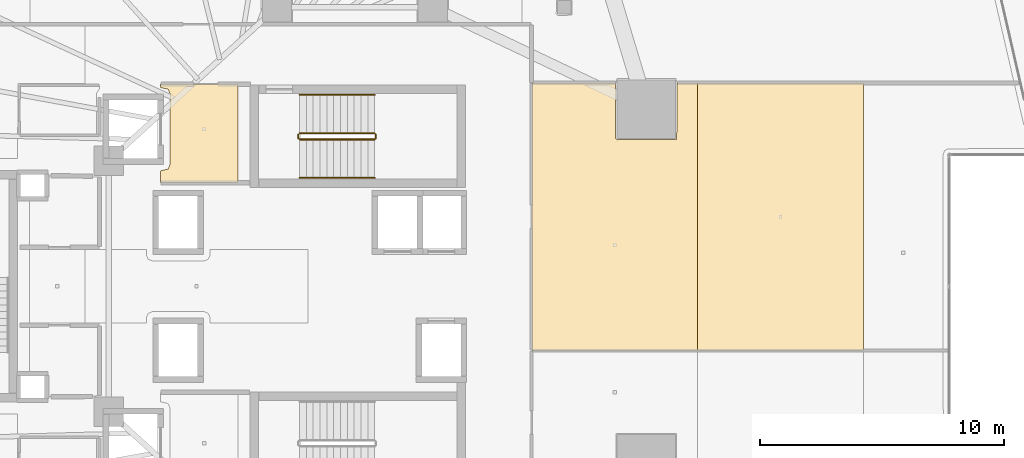
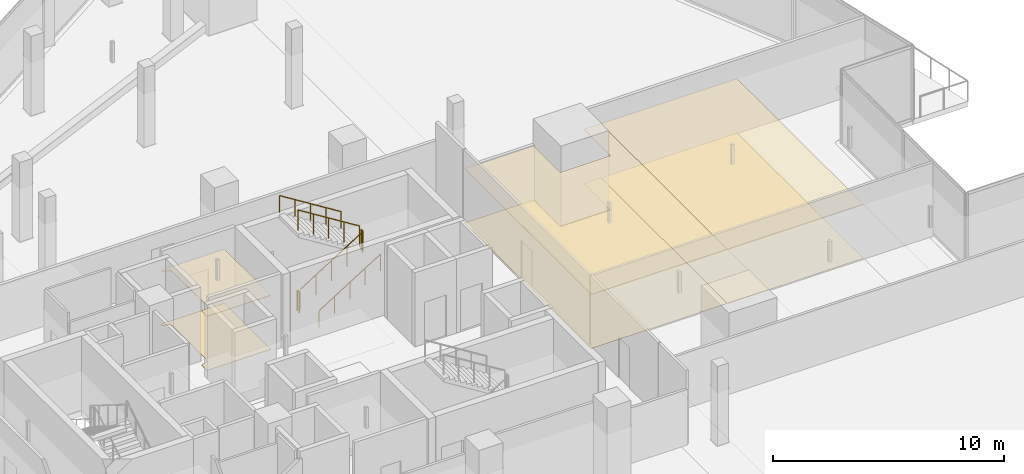
# One storey, part 42 of 43: 6 coverings, 6 railings.
"""IFC4 building model written with IfcOpenShell, lengths in metres."""

import ifcopenshell
import ifcopenshell.guid

model = None  # the IFC model being written
_history = None  # IfcOwnerHistory: only IFC2X3 demands one
_inside = {}  # id of a spatial element -> (the spatial element, [elements in it])
_under = {}  # id of a project, library or spatial element -> (it, [spatial elements below it])
_declared = {}  # id of a project -> (the project, [libraries it declares])
_typed = {}  # id of a type object -> (the type object, [elements of that type])
_made_of = {}  # id of a material, layer set ... -> (it, [elements and type objects made of it])


def new_model(schema):
    """Start an empty IFC model of exactly this schema.

    Asked for "IFC4X3", IfcOpenShell would pick the latest addendum, in which some entities
    have other attributes; the version numbers below select the first issue.
    IFC2X3 requires an IfcOwnerHistory on every rooted entity: one is made here for all.
    """
    global model, _history
    if schema == "IFC4X3":
        model = ifcopenshell.file(schema_version=(4, 3, 0, 0))
    else:
        model = ifcopenshell.file(schema=schema)
    _inside.clear()
    _under.clear()
    _declared.clear()
    _typed.clear()
    _made_of.clear()
    _history = None
    if model.schema == "IFC2X3":
        org = make("IfcOrganization", Name="unknown")
        user = make(
            "IfcPersonAndOrganization",
            ThePerson=make("IfcPerson", FamilyName="unknown"),
            TheOrganization=org,
        )
        app = make(
            "IfcApplication",
            ApplicationDeveloper=org,
            Version="unknown",
            ApplicationFullName="unknown",
            ApplicationIdentifier="unknown",
        )
        _history = make(
            "IfcOwnerHistory",
            OwningUser=user,
            OwningApplication=app,
            ChangeAction="ADDED",
            CreationDate=0,
        )
    return model


def make(cls, **values):
    """One entity of the class cls with the attributes given. An attribute that is None is left unset."""
    return model.create_entity(
        cls, **{name: value for name, value in values.items() if value is not None}
    )


def rooted(cls, **values):
    """An entity with a GlobalId (a new one), such as an element, a storey or a relation."""
    return make(cls, GlobalId=ifcopenshell.guid.new(), OwnerHistory=_history, **values)


def si_unit(unit_type, name, prefix=None):
    """IfcSIUnit, for example si_unit("LENGTHUNIT", "METRE", prefix="MILLI")."""
    return make("IfcSIUnit", UnitType=unit_type, Prefix=prefix, Name=name)


def assignment(units):
    """IfcUnitAssignment: the units of a project."""
    return None if units is None else make("IfcUnitAssignment", Units=units)


def point(xyz):
    """IfcCartesianPoint."""
    return None if xyz is None else make("IfcCartesianPoint", Coordinates=xyz)


def direction(xyz):
    """IfcDirection."""
    return None if xyz is None else make("IfcDirection", DirectionRatios=xyz)


def frame(location, z_axis=None, x_axis=None):
    """IfcAxis2Placement3D, a coordinate frame: its origin and axes. An axis left out is left unset."""
    return make(
        "IfcAxis2Placement3D",
        Location=point(location),
        Axis=direction(z_axis),
        RefDirection=direction(x_axis),
    )


def frame_2d(location, x_axis=None):
    """IfcAxis2Placement2D, a coordinate frame in the plane: its origin and x axis."""
    return make(
        "IfcAxis2Placement2D", Location=point(location), RefDirection=direction(x_axis)
    )


def origin():
    """The frame at (0, 0, 0) with its axes left unset."""
    return frame((0.0, 0.0, 0.0))


def origin_2d():
    """The frame at (0, 0) in the plane with its x axis left unset."""
    return frame_2d((0.0, 0.0))


def place(relative_to, where):
    """IfcLocalPlacement: puts the frame where relative to a parent placement (None: the world)."""
    return make(
        "IfcLocalPlacement", PlacementRelTo=relative_to, RelativePlacement=where
    )


def context(
    kind, dimensions, precision=None, world=None, true_north=None, identifier=None
):
    """IfcGeometricRepresentationContext, for example the 3D "Model" context."""
    return make(
        "IfcGeometricRepresentationContext",
        ContextIdentifier=identifier,
        ContextType=kind,
        CoordinateSpaceDimension=dimensions,
        Precision=precision,
        WorldCoordinateSystem=world,
        TrueNorth=true_north,
    )


def subcontext(parent, identifier, kind, view, scale=None):
    """IfcGeometricRepresentationSubContext, for example "Body" below "Model"."""
    return make(
        "IfcGeometricRepresentationSubContext",
        ContextIdentifier=identifier,
        ContextType=kind,
        ParentContext=parent,
        TargetScale=scale,
        TargetView=view,
    )


def project(units=None, contexts=None):
    """IfcProject with its units and contexts."""
    return rooted(
        "IfcProject",
        Name="project",
        RepresentationContexts=contexts,
        UnitsInContext=assignment(units),
    )


def spatial(cls, under=None, at=None, **own):
    """A site, building, storey or space (cls), placed at a placement, below another one or the project."""
    s = rooted(cls, ObjectPlacement=at, **own)
    if under is not None:
        _under.setdefault(under.id(), (under, []))[1].append(s)
    return s


def polyline(points):
    """IfcPolyline through the points."""
    return make("IfcPolyline", Points=[point(p) for p in points])


def profile(cls, at=None, kind="AREA", **sizes):
    """A parametric profile (cls). Its sizes go by their IFC names, for example OverallWidth=200.0."""
    return make(cls, ProfileType=kind, Position=at, **sizes)


def circle(**sizes):
    """IfcCircleProfileDef."""
    return profile("IfcCircleProfileDef", **sizes)


def outline(outer, holes=None, kind="AREA"):
    """IfcArbitraryClosedProfileDef: a profile drawn as a closed curve; with holes, ...WithVoids."""
    if holes is None:
        return make("IfcArbitraryClosedProfileDef", ProfileType=kind, OuterCurve=outer)
    return make(
        "IfcArbitraryProfileDefWithVoids",
        ProfileType=kind,
        OuterCurve=outer,
        InnerCurves=holes,
    )


def extrude(swept, where, along, depth):
    """IfcExtrudedAreaSolid: the profile swept, set in the frame where, extruded along a direction by depth."""
    return make(
        "IfcExtrudedAreaSolid",
        SweptArea=swept,
        Position=where,
        ExtrudedDirection=direction(along),
        Depth=depth,
    )


def shape(context_of_items, identifier, shape_type, items):
    """IfcShapeRepresentation: the items that make up one representation, for example the "Body"."""
    return make(
        "IfcShapeRepresentation",
        ContextOfItems=context_of_items,
        RepresentationIdentifier=identifier,
        RepresentationType=shape_type,
        Items=items,
    )


def material(Name=None, Category=None):
    """IfcMaterial."""
    return make("IfcMaterial", Name=Name, Category=Category)


def layer(
    of_material, thickness, ventilated=None, Name=None, Category=None, Priority=None
):
    """IfcMaterialLayer: one layer of a wall or slab, of a material (None: an air gap)."""
    return make(
        "IfcMaterialLayer",
        Material=of_material,
        LayerThickness=thickness,
        IsVentilated=ventilated,
        Name=Name,
        Category=Category,
        Priority=Priority,
    )


def layer_set(layers, Name=None):
    """IfcMaterialLayerSet."""
    return make("IfcMaterialLayerSet", MaterialLayers=layers, LayerSetName=Name)


def made_of(thing, what):
    """Note that an element or type object is made of a material, layer set ...; save() writes the relation."""
    if what is not None:
        _made_of.setdefault(what.id(), (what, []))[1].append(thing)
    return thing


def type_object(cls, material=None, **own):
    """A type object (cls), such as IfcWallType, which elements share."""
    return made_of(rooted(cls, **own), material)


def element(
    cls,
    number,
    at=None,
    inside=None,
    cuts=None,
    type_object=None,
    material=None,
    context=None,
    identifier="Body",
    shape_type=None,
    held_by="IfcProductDefinitionShape",
    body=None,
    shapes=None,
    **own,
):
    """One element of the class cls, such as IfcWall. Its Tag is "e" and its number.

    at: its placement. inside: the storey or other place that contains it. cuts: it is an
    opening in that element (IfcRelVoidsElement). A single representation is given by context,
    identifier, shape_type and body (its items); several are given by shapes. held_by: the class
    of the entity that holds the representations. save() writes the other relations.
    """
    e = rooted(cls, Tag="e%d" % number, ObjectPlacement=at, **own)
    if body is not None:
        shapes = [shape(context, identifier, shape_type, body)]
    if shapes is not None:
        e.Representation = make(held_by, Representations=shapes)
    if inside is not None:
        _inside.setdefault(inside.id(), (inside, []))[1].append(e)
    if cuts is not None:
        rooted(
            "IfcRelVoidsElement", RelatingBuildingElement=cuts, RelatedOpeningElement=e
        )
    if type_object is not None:
        _typed.setdefault(type_object.id(), (type_object, []))[1].append(e)
    return made_of(e, material)


def aggregate(whole, parts):
    """IfcRelAggregates: a whole, such as a stair, and the parts it consists of."""
    return rooted("IfcRelAggregates", RelatingObject=whole, RelatedObjects=parts)


def save(model, path):
    """Write the relations noted so far, then the file.

    IfcRelAggregates (storeys below a building ...), IfcRelContainedInSpatialStructure (elements
    in a storey), IfcRelDefinesByType, IfcRelAssociatesMaterial and IfcRelDeclares: one each for
    every whole, place, type object, material and project.
    """
    for whole, parts in _under.values():
        aggregate(whole, parts)
    for where, things in _inside.values():
        rooted(
            "IfcRelContainedInSpatialStructure",
            RelatedElements=things,
            RelatingStructure=where,
        )
    for kind, things in _typed.values():
        rooted("IfcRelDefinesByType", RelatedObjects=things, RelatingType=kind)
    for what, things in _made_of.values():
        rooted("IfcRelAssociatesMaterial", RelatedObjects=things, RelatingMaterial=what)
    for by, libraries in _declared.values():
        rooted("IfcRelDeclares", RelatingContext=by, RelatedDefinitions=libraries)
    model.write(path)


model = new_model("IFC4")

# Units and contexts
model_context = context("Model", 3, precision=1e-05, world=origin(), true_north=direction((0.0, 1.0)))
body_context = subcontext(model_context, "Body", "Model", "MODEL_VIEW")
ifc_project = project(units=[si_unit("LENGTHUNIT", "METRE"), si_unit("AREAUNIT", "SQUARE_METRE"), si_unit("VOLUMEUNIT", "CUBIC_METRE"), si_unit("PLANEANGLEUNIT", "RADIAN"), si_unit("MASSUNIT", "GRAM", prefix="KILO")], contexts=[model_context])

# Site, building, storey
site_placement = place(None, origin())
site = spatial("IfcSite", under=ifc_project, at=site_placement, CompositionType="ELEMENT")
building_placement = place(site_placement, origin())
building = spatial("IfcBuilding", under=site, at=building_placement, Name="Qorvath Tower", CompositionType="ELEMENT")
storey_placement = place(building_placement, frame((0.0, 0.0, 36.60009765625)))
storey = spatial("IfcBuildingStorey", under=building, at=storey_placement, Name="L07", CompositionType="ELEMENT", Elevation=36.60009765625)

# Coverings
ifc_material_1 = material(Name="Acoustic mineral fibre ceiling tile", Category="gypsum")
ifc_layer_1 = layer(ifc_material_1, 0.030029296875)
ifc_layer_set_1 = layer_set([ifc_layer_1], Name="COV-CEIL")
covering_type_1 = type_object("IfcCoveringType", Name="COV-CEIL", PredefinedType="CEILING", material=ifc_layer_set_1)
covering_1_placement = place(storey_placement, frame((0.0, 0.0, 2.849853515625)))
element("IfcCovering", 1, at=covering_1_placement, inside=storey, type_object=covering_type_1, Name="L07 Suspended Acoustic Ceiling 001", PredefinedType="CEILING", context=body_context, shape_type="SweptSolid", body=[
    extrude(outline(polyline([(-25.18994140625, 4.2548828125), (-25.18994140625, 8.294921875), (-28.375, 8.294921875), (-28.375, 8.159912109375), (-28.063232421875, 8.086669921875), (-27.989990234375, 7.909912109375), (-27.989990234375, 4.989990234375), (-28.063232421875, 4.813232421875), (-28.375, 4.739990234375), (-28.375, 4.2548828125), (-25.18994140625, 4.2548828125)])), origin(), (0.0, 0.0, 1.0), 0.030029296875),
])
covering_2_placement = place(storey_placement, frame((0.0, 0.0, 2.849853515625)))
element("IfcCovering", 2, at=covering_2_placement, inside=storey, type_object=covering_type_1, Name="L07 Suspended Acoustic Ceiling 016", PredefinedType="CEILING", context=body_context, shape_type="SweptSolid", body=[
    extrude(outline(polyline([(-6.329833984375, -2.6298828125), (-6.329833984375, 8.3369140625), (-7.17041015625, 8.3369140625), (-7.18798828125, 6.033935546875), (-9.63037109375, 6.016357421875), (-9.690185546875, 6.076416015625), (-9.690185546875, 8.3369140625), (-13.136962890625, 8.3369140625), (-13.136962890625, -2.6298828125), (-6.329833984375, -2.6298828125)])), origin(), (0.0, 0.0, 1.0), 0.030029296875),
])
covering_3_placement = place(storey_placement, frame((0.0, 0.0, 2.849853515625)))
element("IfcCovering", 3, at=covering_3_placement, inside=storey, type_object=covering_type_1, Name="L07 Suspended Acoustic Ceiling 017", PredefinedType="CEILING", context=body_context, shape_type="SweptSolid", body=[
    extrude(outline(polyline([(0.477294921875, -2.6298828125), (0.477294921875, 8.3369140625), (-6.329833984375, 8.3369140625), (-6.329833984375, -2.6298828125), (0.477294921875, -2.6298828125)])), origin(), (0.0, 0.0, 1.0), 0.030029296875),
])
ifc_material_2 = material(Name="Low-VOC modular carpet tile", Category="textile")
ifc_layer_2 = layer(ifc_material_2, 0.014892578125)
ifc_layer_set_2 = layer_set([ifc_layer_2], Name="COV-FLOOR-CPT")
covering_type_2 = type_object("IfcCoveringType", Name="COV-FLOOR-CPT", PredefinedType="FLOORING", material=ifc_layer_set_2)
covering_4_placement = place(storey_placement, origin())
element("IfcCovering", 4, at=covering_4_placement, inside=storey, type_object=covering_type_2, Name="L07 Floor Finish 016", PredefinedType="FLOORING", context=body_context, shape_type="SweptSolid", body=[
    extrude(outline(polyline([(-6.329833984375, -2.6298828125), (-6.329833984375, 8.3369140625), (-7.17041015625, 8.3369140625), (-7.18798828125, 6.033935546875), (-9.63037109375, 6.016357421875), (-9.690185546875, 6.076416015625), (-9.690185546875, 8.3369140625), (-13.136962890625, 8.3369140625), (-13.136962890625, -2.6298828125), (-6.329833984375, -2.6298828125)])), origin(), (0.0, 0.0, 1.0), 0.014892578125),
])
covering_5_placement = place(storey_placement, origin())
element("IfcCovering", 5, at=covering_5_placement, inside=storey, type_object=covering_type_2, Name="L07 Floor Finish 017", PredefinedType="FLOORING", context=body_context, shape_type="SweptSolid", body=[
    extrude(outline(polyline([(0.477294921875, -2.6298828125), (0.477294921875, 8.3369140625), (-6.329833984375, 8.3369140625), (-6.329833984375, -2.6298828125), (0.477294921875, -2.6298828125)])), origin(), (0.0, 0.0, 1.0), 0.014892578125),
])
ifc_material_3 = material(Name="Polished epoxy terrazzo flooring", Category="concrete")
ifc_layer_3 = layer(ifc_material_3, 0.02001953125)
ifc_layer_set_3 = layer_set([ifc_layer_3], Name="COV-FLOOR-TRZ")
covering_type_3 = type_object("IfcCoveringType", Name="COV-FLOOR-TRZ", PredefinedType="FLOORING", material=ifc_layer_set_3)
covering_6_placement = place(storey_placement, origin())
element("IfcCovering", 6, at=covering_6_placement, inside=storey, type_object=covering_type_3, Name="L07 Floor Finish 001", PredefinedType="FLOORING", context=body_context, shape_type="SweptSolid", body=[
    extrude(outline(polyline([(-25.18994140625, 4.2548828125), (-25.18994140625, 8.294921875), (-28.375, 8.294921875), (-28.375, 8.159912109375), (-28.063232421875, 8.086669921875), (-27.989990234375, 7.909912109375), (-27.989990234375, 4.989990234375), (-28.063232421875, 4.813232421875), (-28.375, 4.739990234375), (-28.375, 4.2548828125), (-25.18994140625, 4.2548828125)])), origin(), (0.0, 0.0, 1.0), 0.014892578125),
])

# Railings
ifc_material_4 = material(Name="Painted galvanised steel", Category="steel")
railing_type_1 = type_object("IfcRailingType", Name="RL-STR-GRD", PredefinedType="GUARDRAIL", material=ifc_material_4)
railing_1_placement = place(storey_placement, frame((-22.669921875, 6.030029296875, 0.1748046875)))
element("IfcRailing", 7, at=railing_1_placement, inside=storey, type_object=railing_type_1, Name="L07 TS1 stair guard 1", PredefinedType="GUARDRAIL", context=body_context, shape_type="SweptSolid", body=[
    extrude(circle(Radius=0.02392578125, at=origin_2d()), frame((0.0, 0.0, 1.076171875), z_axis=(0.847979421464, 0.0, 0.530029150871), x_axis=(0.0, 1.0, 0.0)), (0.0, 0.0, 1.0), 3.632080078125),
    extrude(circle(Radius=0.02099609375, at=origin_2d()), origin(), (0.0, 0.0, 1.0), 1.052001953125),
    extrude(circle(Radius=0.02099609375, at=origin_2d()), frame((0.77001953125, 0.0, 0.481201171875)), (0.0, 0.0, 1.0), 1.052001953125),
    extrude(circle(Radius=0.02099609375, at=origin_2d()), frame((1.5400390625, 0.0, 0.96240234375)), (0.0, 0.0, 1.0), 1.052001953125),
    extrude(circle(Radius=0.02099609375, at=origin_2d()), frame((2.309814453125, 0.0, 1.44384765625)), (0.0, 0.0, 1.0), 1.052001953125),
    extrude(circle(Radius=0.02099609375, at=origin_2d()), frame((3.079833984375, 0.0, 1.925048828125)), (0.0, 0.0, 1.0), 1.052001953125),
])
railing_2_placement = place(storey_placement, frame((-19.5400390625, 6.080078125, 2.099853515625)))
element("IfcRailing", 8, at=railing_2_placement, inside=storey, type_object=railing_type_1, Name="L07 TS1 stair guard 2", PredefinedType="GUARDRAIL", context=body_context, shape_type="SweptSolid", body=[
    extrude(circle(Radius=0.02392578125, at=origin_2d()), frame((0.0, 0.0, 1.076171875), z_axis=(0.0, 1.0, 0.0), x_axis=(-1.0, 0.0, 0.0)), (0.0, 0.0, 1.0), 0.14990234375),
    extrude(circle(Radius=0.02099609375, at=origin_2d()), origin(), (0.0, 0.0, 1.0), 1.052001953125),
    extrude(circle(Radius=0.02099609375, at=origin_2d()), frame((0.0, 0.14990234375, 0.0)), (0.0, 0.0, 1.0), 1.052001953125),
])
railing_3_placement = place(storey_placement, frame((-19.590087890625, 6.280029296875, 2.27490234375)))
element("IfcRailing", 9, at=railing_3_placement, inside=storey, type_object=railing_type_1, Name="L07 TS1 stair guard 3", PredefinedType="GUARDRAIL", context=body_context, shape_type="SweptSolid", body=[
    extrude(circle(Radius=0.02392578125, at=origin_2d()), frame((0.0, 0.0, 1.076171875), z_axis=(-0.847979421464, 0.0, 0.530029150871), x_axis=(0.0, -1.0, 0.0)), (0.0, 0.0, 1.0), 3.632080078125),
    extrude(circle(Radius=0.02099609375, at=origin_2d()), origin(), (0.0, 0.0, 1.0), 1.052001953125),
    extrude(circle(Radius=0.02099609375, at=origin_2d()), frame((-0.77001953125, 0.0, 0.481201171875)), (0.0, 0.0, 1.0), 1.052001953125),
    extrude(circle(Radius=0.02099609375, at=origin_2d()), frame((-1.5400390625, 0.0, 0.96240234375)), (0.0, 0.0, 1.0), 1.052001953125),
    extrude(circle(Radius=0.02099609375, at=origin_2d()), frame((-2.309814453125, 0.0, 1.44384765625)), (0.0, 0.0, 1.0), 1.052001953125),
    extrude(circle(Radius=0.02099609375, at=origin_2d()), frame((-3.079833984375, 0.0, 1.925048828125)), (0.0, 0.0, 1.0), 1.052001953125),
])
railing_4_placement = place(storey_placement, frame((-22.719970703125, 6.080078125, 0.0)))
element("IfcRailing", 10, at=railing_4_placement, inside=storey, type_object=railing_type_1, Name="L07 TS1 stair guard 4", PredefinedType="GUARDRAIL", context=body_context, shape_type="SweptSolid", body=[
    extrude(circle(Radius=0.02392578125, at=origin_2d()), frame((0.0, 0.0, 1.076171875), z_axis=(0.0, 1.0, 0.0), x_axis=(-1.0, 0.0, 0.0)), (0.0, 0.0, 1.0), 0.14990234375),
    extrude(circle(Radius=0.02099609375, at=origin_2d()), origin(), (0.0, 0.0, 1.0), 1.052001953125),
    extrude(circle(Radius=0.02099609375, at=origin_2d()), frame((0.0, 0.14990234375, 0.0)), (0.0, 0.0, 1.0), 1.052001953125),
])
ifc_material_5 = material(Name="Brushed stainless steel AISI 304", Category="steel")
railing_type_2 = type_object("IfcRailingType", Name="RL-STR-HND", PredefinedType="HANDRAIL", material=ifc_material_5)
railing_5_placement = place(storey_placement, frame((-22.669921875, 4.449951171875, 0.1748046875)))
element("IfcRailing", 11, at=railing_5_placement, inside=storey, type_object=railing_type_2, Name="L07 TS1 stair handrail 1", PredefinedType="HANDRAIL", context=body_context, shape_type="SweptSolid", body=[
    extrude(circle(Radius=0.02392578125, at=origin_2d()), frame((0.0, 0.0, 0.8759765625), z_axis=(0.847979421464, 0.0, 0.530029150871), x_axis=(0.0, 1.0, 0.0)), (0.0, 0.0, 1.0), 3.632080078125),
    extrude(circle(Radius=0.02099609375, at=origin_2d()), origin(), (0.0, 0.0, 1.0), 0.851806640625),
    extrude(circle(Radius=0.02099609375, at=origin_2d()), frame((0.77001953125, 0.0, 0.481201171875)), (0.0, 0.0, 1.0), 0.851806640625),
    extrude(circle(Radius=0.02099609375, at=origin_2d()), frame((1.5400390625, 0.0, 0.96240234375)), (0.0, 0.0, 1.0), 0.851806640625),
    extrude(circle(Radius=0.02099609375, at=origin_2d()), frame((2.309814453125, 0.0, 1.44384765625)), (0.0, 0.0, 1.0), 0.851806640625),
    extrude(circle(Radius=0.02099609375, at=origin_2d()), frame((3.079833984375, 0.0, 1.925048828125)), (0.0, 0.0, 1.0), 0.851806640625),
])
railing_6_placement = place(storey_placement, frame((-19.590087890625, 7.860107421875, 2.27490234375)))
element("IfcRailing", 12, at=railing_6_placement, inside=storey, type_object=railing_type_2, Name="L07 TS1 stair handrail 2", PredefinedType="HANDRAIL", context=body_context, shape_type="SweptSolid", body=[
    extrude(circle(Radius=0.02392578125, at=origin_2d()), frame((0.0, 0.0, 0.8759765625), z_axis=(-0.847979421464, 0.0, 0.530029150871), x_axis=(0.0, -1.0, 0.0)), (0.0, 0.0, 1.0), 3.632080078125),
    extrude(circle(Radius=0.02099609375, at=origin_2d()), origin(), (0.0, 0.0, 1.0), 0.851806640625),
    extrude(circle(Radius=0.02099609375, at=origin_2d()), frame((-0.77001953125, 0.0, 0.481201171875)), (0.0, 0.0, 1.0), 0.851806640625),
    extrude(circle(Radius=0.02099609375, at=origin_2d()), frame((-1.5400390625, 0.0, 0.96240234375)), (0.0, 0.0, 1.0), 0.851806640625),
    extrude(circle(Radius=0.02099609375, at=origin_2d()), frame((-2.309814453125, 0.0, 1.44384765625)), (0.0, 0.0, 1.0), 0.851806640625),
    extrude(circle(Radius=0.02099609375, at=origin_2d()), frame((-3.079833984375, 0.0, 1.925048828125)), (0.0, 0.0, 1.0), 0.851806640625),
])

save(model, "model.ifc")
